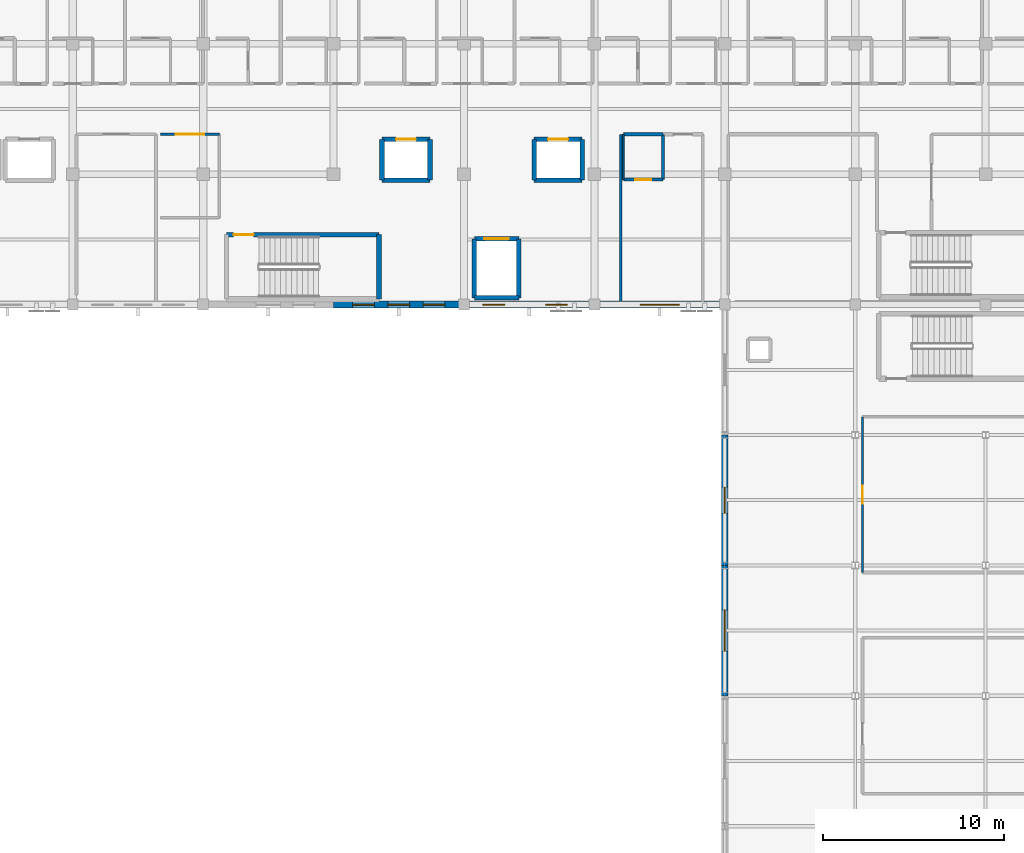
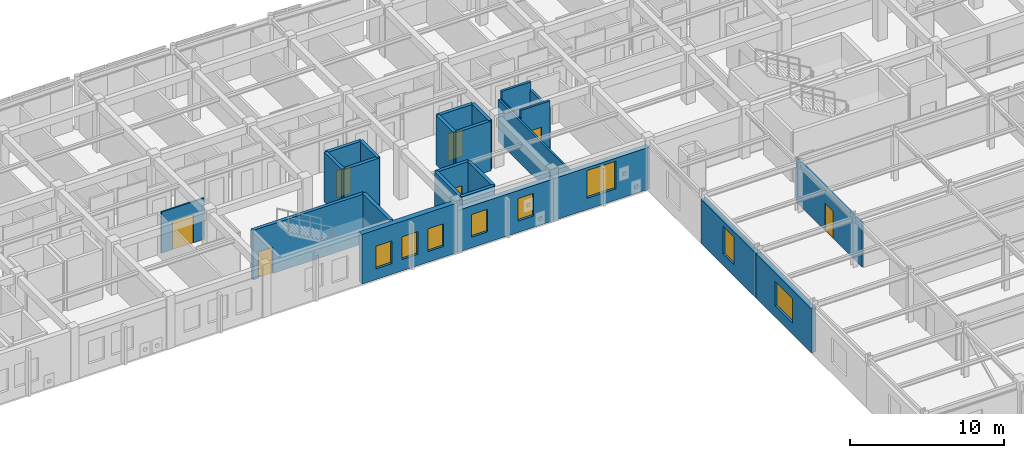
# One storey, part 93 of 113: 26 walls, 8 windows, 7 doors, 15 openings.
"""IFC4 building model written with IfcOpenShell, lengths in metres."""

import ifcopenshell
import ifcopenshell.guid

model = None  # the IFC model being written
_history = None  # IfcOwnerHistory: only IFC2X3 demands one
_inside = {}  # id of a spatial element -> (the spatial element, [elements in it])
_under = {}  # id of a project, library or spatial element -> (it, [spatial elements below it])
_declared = {}  # id of a project -> (the project, [libraries it declares])
_typed = {}  # id of a type object -> (the type object, [elements of that type])
_made_of = {}  # id of a material, layer set ... -> (it, [elements and type objects made of it])


def new_model(schema):
    """Start an empty IFC model of exactly this schema.

    Asked for "IFC4X3", IfcOpenShell would pick the latest addendum, in which some entities
    have other attributes; the version numbers below select the first issue.
    IFC2X3 requires an IfcOwnerHistory on every rooted entity: one is made here for all.
    """
    global model, _history
    if schema == "IFC4X3":
        model = ifcopenshell.file(schema_version=(4, 3, 0, 0))
    else:
        model = ifcopenshell.file(schema=schema)
    _inside.clear()
    _under.clear()
    _declared.clear()
    _typed.clear()
    _made_of.clear()
    _history = None
    if model.schema == "IFC2X3":
        org = make("IfcOrganization", Name="unknown")
        user = make(
            "IfcPersonAndOrganization",
            ThePerson=make("IfcPerson", FamilyName="unknown"),
            TheOrganization=org,
        )
        app = make(
            "IfcApplication",
            ApplicationDeveloper=org,
            Version="unknown",
            ApplicationFullName="unknown",
            ApplicationIdentifier="unknown",
        )
        _history = make(
            "IfcOwnerHistory",
            OwningUser=user,
            OwningApplication=app,
            ChangeAction="ADDED",
            CreationDate=0,
        )
    return model


def make(cls, **values):
    """One entity of the class cls with the attributes given. An attribute that is None is left unset."""
    return model.create_entity(
        cls, **{name: value for name, value in values.items() if value is not None}
    )


def rooted(cls, **values):
    """An entity with a GlobalId (a new one), such as an element, a storey or a relation."""
    return make(cls, GlobalId=ifcopenshell.guid.new(), OwnerHistory=_history, **values)


def si_unit(unit_type, name, prefix=None):
    """IfcSIUnit, for example si_unit("LENGTHUNIT", "METRE", prefix="MILLI")."""
    return make("IfcSIUnit", UnitType=unit_type, Prefix=prefix, Name=name)


def assignment(units):
    """IfcUnitAssignment: the units of a project."""
    return None if units is None else make("IfcUnitAssignment", Units=units)


def point(xyz):
    """IfcCartesianPoint."""
    return None if xyz is None else make("IfcCartesianPoint", Coordinates=xyz)


def direction(xyz):
    """IfcDirection."""
    return None if xyz is None else make("IfcDirection", DirectionRatios=xyz)


def frame(location, z_axis=None, x_axis=None):
    """IfcAxis2Placement3D, a coordinate frame: its origin and axes. An axis left out is left unset."""
    return make(
        "IfcAxis2Placement3D",
        Location=point(location),
        Axis=direction(z_axis),
        RefDirection=direction(x_axis),
    )


def frame_2d(location, x_axis=None):
    """IfcAxis2Placement2D, a coordinate frame in the plane: its origin and x axis."""
    return make(
        "IfcAxis2Placement2D", Location=point(location), RefDirection=direction(x_axis)
    )


def origin():
    """The frame at (0, 0, 0) with its axes left unset."""
    return frame((0.0, 0.0, 0.0))


def place(relative_to, where):
    """IfcLocalPlacement: puts the frame where relative to a parent placement (None: the world)."""
    return make(
        "IfcLocalPlacement", PlacementRelTo=relative_to, RelativePlacement=where
    )


def context(
    kind, dimensions, precision=None, world=None, true_north=None, identifier=None
):
    """IfcGeometricRepresentationContext, for example the 3D "Model" context."""
    return make(
        "IfcGeometricRepresentationContext",
        ContextIdentifier=identifier,
        ContextType=kind,
        CoordinateSpaceDimension=dimensions,
        Precision=precision,
        WorldCoordinateSystem=world,
        TrueNorth=true_north,
    )


def subcontext(parent, identifier, kind, view, scale=None):
    """IfcGeometricRepresentationSubContext, for example "Body" below "Model"."""
    return make(
        "IfcGeometricRepresentationSubContext",
        ContextIdentifier=identifier,
        ContextType=kind,
        ParentContext=parent,
        TargetScale=scale,
        TargetView=view,
    )


def project(units=None, contexts=None):
    """IfcProject with its units and contexts."""
    return rooted(
        "IfcProject",
        Name="project",
        RepresentationContexts=contexts,
        UnitsInContext=assignment(units),
    )


def spatial(cls, under=None, at=None, **own):
    """A site, building, storey or space (cls), placed at a placement, below another one or the project."""
    s = rooted(cls, ObjectPlacement=at, **own)
    if under is not None:
        _under.setdefault(under.id(), (under, []))[1].append(s)
    return s


def profile(cls, at=None, kind="AREA", **sizes):
    """A parametric profile (cls). Its sizes go by their IFC names, for example OverallWidth=200.0."""
    return make(cls, ProfileType=kind, Position=at, **sizes)


def rectangle(**sizes):
    """IfcRectangleProfileDef."""
    return profile("IfcRectangleProfileDef", **sizes)


def extrude(swept, where, along, depth):
    """IfcExtrudedAreaSolid: the profile swept, set in the frame where, extruded along a direction by depth."""
    return make(
        "IfcExtrudedAreaSolid",
        SweptArea=swept,
        Position=where,
        ExtrudedDirection=direction(along),
        Depth=depth,
    )


def shape(context_of_items, identifier, shape_type, items):
    """IfcShapeRepresentation: the items that make up one representation, for example the "Body"."""
    return make(
        "IfcShapeRepresentation",
        ContextOfItems=context_of_items,
        RepresentationIdentifier=identifier,
        RepresentationType=shape_type,
        Items=items,
    )


def material(Name=None, Category=None):
    """IfcMaterial."""
    return make("IfcMaterial", Name=Name, Category=Category)


def layer(
    of_material, thickness, ventilated=None, Name=None, Category=None, Priority=None
):
    """IfcMaterialLayer: one layer of a wall or slab, of a material (None: an air gap)."""
    return make(
        "IfcMaterialLayer",
        Material=of_material,
        LayerThickness=thickness,
        IsVentilated=ventilated,
        Name=Name,
        Category=Category,
        Priority=Priority,
    )


def layer_set(layers, Name=None):
    """IfcMaterialLayerSet."""
    return make("IfcMaterialLayerSet", MaterialLayers=layers, LayerSetName=Name)


def made_of(thing, what):
    """Note that an element or type object is made of a material, layer set ...; save() writes the relation."""
    if what is not None:
        _made_of.setdefault(what.id(), (what, []))[1].append(thing)
    return thing


def type_object(cls, material=None, **own):
    """A type object (cls), such as IfcWallType, which elements share."""
    return made_of(rooted(cls, **own), material)


def element(
    cls,
    number,
    at=None,
    inside=None,
    cuts=None,
    type_object=None,
    material=None,
    context=None,
    identifier="Body",
    shape_type=None,
    held_by="IfcProductDefinitionShape",
    body=None,
    shapes=None,
    **own,
):
    """One element of the class cls, such as IfcWall. Its Tag is "e" and its number.

    at: its placement. inside: the storey or other place that contains it. cuts: it is an
    opening in that element (IfcRelVoidsElement). A single representation is given by context,
    identifier, shape_type and body (its items); several are given by shapes. held_by: the class
    of the entity that holds the representations. save() writes the other relations.
    """
    e = rooted(cls, Tag="e%d" % number, ObjectPlacement=at, **own)
    if body is not None:
        shapes = [shape(context, identifier, shape_type, body)]
    if shapes is not None:
        e.Representation = make(held_by, Representations=shapes)
    if inside is not None:
        _inside.setdefault(inside.id(), (inside, []))[1].append(e)
    if cuts is not None:
        rooted(
            "IfcRelVoidsElement", RelatingBuildingElement=cuts, RelatedOpeningElement=e
        )
    if type_object is not None:
        _typed.setdefault(type_object.id(), (type_object, []))[1].append(e)
    return made_of(e, material)


def fill(opening, filler):
    """IfcRelFillsElement: the door or window that sits in an opening."""
    return rooted(
        "IfcRelFillsElement",
        RelatingOpeningElement=opening,
        RelatedBuildingElement=filler,
    )


def aggregate(whole, parts):
    """IfcRelAggregates: a whole, such as a stair, and the parts it consists of."""
    return rooted("IfcRelAggregates", RelatingObject=whole, RelatedObjects=parts)


def save(model, path):
    """Write the relations noted so far, then the file.

    IfcRelAggregates (storeys below a building ...), IfcRelContainedInSpatialStructure (elements
    in a storey), IfcRelDefinesByType, IfcRelAssociatesMaterial and IfcRelDeclares: one each for
    every whole, place, type object, material and project.
    """
    for whole, parts in _under.values():
        aggregate(whole, parts)
    for where, things in _inside.values():
        rooted(
            "IfcRelContainedInSpatialStructure",
            RelatedElements=things,
            RelatingStructure=where,
        )
    for kind, things in _typed.values():
        rooted("IfcRelDefinesByType", RelatedObjects=things, RelatingType=kind)
    for what, things in _made_of.values():
        rooted("IfcRelAssociatesMaterial", RelatedObjects=things, RelatingMaterial=what)
    for by, libraries in _declared.values():
        rooted("IfcRelDeclares", RelatingContext=by, RelatedDefinitions=libraries)
    model.write(path)


model = new_model("IFC4")

# Units and contexts
model_context = context("Model", 3, precision=1e-05, world=origin(), true_north=direction((0.0, 1.0)))
body_context = subcontext(model_context, "Body", "Model", "MODEL_VIEW")
ifc_project = project(units=[si_unit("LENGTHUNIT", "METRE"), si_unit("AREAUNIT", "SQUARE_METRE"), si_unit("VOLUMEUNIT", "CUBIC_METRE"), si_unit("PLANEANGLEUNIT", "RADIAN"), si_unit("MASSUNIT", "GRAM", prefix="KILO")], contexts=[model_context])

# Site, building, storey
site_placement = place(None, origin())
site = spatial("IfcSite", under=ifc_project, at=site_placement, CompositionType="ELEMENT")
building_placement = place(site_placement, origin())
building = spatial("IfcBuilding", under=site, at=building_placement, Name="Carrowvane Square Congress Hotel", CompositionType="ELEMENT")
storey_placement = place(building_placement, frame((0.0, 0.0, 15.0)))
storey = spatial("IfcBuildingStorey", under=building, at=storey_placement, Name="L03", CompositionType="ELEMENT", Elevation=15.0)

# Wall, opening, window
ifc_material_1 = material(Name="Glazed terracotta rainscreen", Category="masonry")
ifc_layer_1 = layer(ifc_material_1, 0.360107421875)
ifc_layer_set_1 = layer_set([ifc_layer_1], Name="Glazed terracotta rainscreen")
wall_type_1 = type_object("IfcWallType", Name="WL-EXT-TC360", PredefinedType="STANDARD", material=ifc_layer_set_1)
wall_1_placement = place(storey_placement, frame((126.800048828125, 70.199951171875, 0.0), z_axis=(0.0, 0.0, 1.0), x_axis=(0.0, 1.0, 0.0)))
wall_1 = element("IfcWall", 1, at=wall_1_placement, inside=storey, type_object=wall_type_1, Name="L03 exterior facade wall 388", PredefinedType="STANDARD", context=body_context, shape_type="SweptSolid", body=[
    extrude(rectangle(XDim=7.199951171875, YDim=0.360107421875, at=frame_2d((3.60009765625, 0.0))), origin(), (0.0, 0.0, 1.0), 3.515625),
])
opening_1_placement = place(wall_1_placement, frame((2.449951171875, 0.0, 0.89990234375)))
opening_1 = element("IfcOpeningElement", 2, at=opening_1_placement, cuts=wall_1, Name="Opening W-32", PredefinedType="OPENING", context=body_context, shape_type="SweptSolid", body=[
    extrude(rectangle(XDim=2.300048828125, YDim=1.949951171875, at=frame_2d((1.14990234375, 0.97509765625))), frame((0.0, 0.18994140625, 0.0), z_axis=(0.0, -1.0, 0.0), x_axis=(1.0, 0.0, 0.0)), (0.0, 0.0, 1.0), 0.380126953125),
])
ifc_material_2 = material(Name="Double-glazed low-E glass", Category="glass")
window_type_1 = type_object("IfcWindowType", Name="WIN-32", PartitioningType="SINGLE_PANEL", PredefinedType="WINDOW", material=ifc_material_2)
window_1_placement = place(opening_1_placement, origin())
window_1 = element("IfcWindow", 3, at=window_1_placement, inside=storey, type_object=window_type_1, Name="L03 facade window 209", OverallHeight=1.949951171875, OverallWidth=2.300048828125, PartitioningType="SINGLE_PANEL", PredefinedType="WINDOW", context=body_context, shape_type="SweptSolid", body=[
    extrude(rectangle(XDim=2.300048828125, YDim=1.949951171875, at=frame_2d((1.14990234375, 0.97509765625))), frame((0.0, 0.030029296875, 0.0), z_axis=(0.0, -1.0, 0.0), x_axis=(1.0, 0.0, 0.0)), (0.0, 0.0, 1.0), 0.06005859375),
])
fill(opening_1, window_1)

wall_2_placement = place(storey_placement, frame((126.800048828125, 77.39990234375, 0.0), z_axis=(0.0, 0.0, 1.0), x_axis=(0.0, 1.0, 0.0)))
wall_2 = element("IfcWall", 4, at=wall_2_placement, inside=storey, type_object=wall_type_1, Name="L03 exterior facade wall 389", PredefinedType="STANDARD", context=body_context, shape_type="SweptSolid", body=[
    extrude(rectangle(XDim=7.2001953125, YDim=0.360107421875, at=frame_2d((3.60009765625, 0.0))), origin(), (0.0, 0.0, 1.0), 3.515625),
])
opening_2_placement = place(wall_2_placement, frame((2.875, 0.0, 0.89990234375)))
opening_2 = element("IfcOpeningElement", 5, at=opening_2_placement, cuts=wall_2, Name="Opening W-33", PredefinedType="OPENING", context=body_context, shape_type="SweptSolid", body=[
    extrude(rectangle(XDim=1.449951171875, YDim=2.199951171875, at=frame_2d((0.72509765625, 1.10009765625))), frame((0.0, 0.18994140625, 0.0), z_axis=(0.0, -1.0, 0.0), x_axis=(1.0, 0.0, 0.0)), (0.0, 0.0, 1.0), 0.380126953125),
])
ifc_material_3 = material(Name="Double-glazed low-E glass", Category="glass")
window_type_2 = type_object("IfcWindowType", Name="WIN-33", PartitioningType="SINGLE_PANEL", PredefinedType="WINDOW", material=ifc_material_3)
window_2_placement = place(opening_2_placement, origin())
window_2 = element("IfcWindow", 6, at=window_2_placement, inside=storey, type_object=window_type_2, Name="L03 facade window 210", OverallHeight=2.199951171875, OverallWidth=1.449951171875, PartitioningType="SINGLE_PANEL", PredefinedType="WINDOW", context=body_context, shape_type="SweptSolid", body=[
    extrude(rectangle(XDim=1.449951171875, YDim=2.199951171875, at=frame_2d((0.72509765625, 1.10009765625))), frame((0.0, 0.030029296875, 0.0), z_axis=(0.0, -1.0, 0.0), x_axis=(1.0, 0.0, 0.0)), (0.0, 0.0, 1.0), 0.06005859375),
])
fill(opening_2, window_2)

ifc_material_4 = material(Name="Glazed terracotta rainscreen", Category="masonry")
ifc_layer_2 = layer(ifc_material_4, 0.39990234375)
ifc_layer_set_2 = layer_set([ifc_layer_2], Name="Glazed terracotta rainscreen")
wall_type_2 = type_object("IfcWallType", Name="WL-EXT-TC400", PredefinedType="STANDARD", material=ifc_layer_set_2)
wall_3_placement = place(storey_placement, frame((126.800048828125, 91.800048828125, 0.0), z_axis=(0.0, 0.0, 1.0), x_axis=(-1.0, 0.0, 0.0)))
wall_3 = element("IfcWall", 7, at=wall_3_placement, inside=storey, type_object=wall_type_2, Name="L03 exterior facade wall 391", PredefinedType="STANDARD", context=body_context, shape_type="SweptSolid", body=[
    extrude(rectangle(XDim=7.199951171875, YDim=0.39990234375, at=frame_2d((3.60009765625, 0.0))), origin(), (0.0, 0.0, 1.0), 3.324951171875),
])
opening_3_placement = place(wall_3_placement, frame((2.52490234375, 0.0, 0.89990234375)))
opening_3 = element("IfcOpeningElement", 8, at=opening_3_placement, cuts=wall_3, Name="Opening W-35", PredefinedType="OPENING", context=body_context, shape_type="SweptSolid", body=[
    extrude(rectangle(XDim=2.14990234375, YDim=2.199951171875, at=frame_2d((1.074951171875, 1.10009765625))), frame((0.0, 0.2099609375, 0.0), z_axis=(0.0, -1.0, 0.0), x_axis=(1.0, 0.0, 0.0)), (0.0, 0.0, 1.0), 0.419921875),
])
ifc_material_5 = material(Name="Double-glazed low-E glass", Category="glass")
window_type_3 = type_object("IfcWindowType", Name="WIN-35", PartitioningType="SINGLE_PANEL", PredefinedType="WINDOW", material=ifc_material_5)
window_3_placement = place(opening_3_placement, origin())
window_3 = element("IfcWindow", 9, at=window_3_placement, inside=storey, type_object=window_type_3, Name="L03 facade window 212", OverallHeight=2.199951171875, OverallWidth=2.14990234375, PartitioningType="SINGLE_PANEL", PredefinedType="WINDOW", context=body_context, shape_type="SweptSolid", body=[
    extrude(rectangle(XDim=2.14990234375, YDim=2.199951171875, at=frame_2d((1.074951171875, 1.10009765625))), frame((0.0, 0.030029296875, 0.0), z_axis=(0.0, -1.0, 0.0), x_axis=(1.0, 0.0, 0.0)), (0.0, 0.0, 1.0), 0.06005859375),
])
fill(opening_3, window_3)

# Wall, openings, windows
wall_4_placement = place(storey_placement, frame((119.60009765625, 91.800048828125, 0.0), z_axis=(0.0, 0.0, 1.0), x_axis=(-1.0, 0.0, 0.0)))
wall_4 = element("IfcWall", 10, at=wall_4_placement, inside=storey, type_object=wall_type_2, Name="L03 exterior facade wall 392", PredefinedType="STANDARD", context=body_context, shape_type="SweptSolid", body=[
    extrude(rectangle(XDim=7.2001953125, YDim=0.39990234375, at=frame_2d((3.60009765625, 0.0))), origin(), (0.0, 0.0, 1.0), 3.324951171875),
])
opening_4_placement = place(wall_4_placement, frame((1.487548828125, 0.0, 0.89990234375)))
opening_4 = element("IfcOpeningElement", 11, at=opening_4_placement, cuts=wall_4, Name="Opening W-01", PredefinedType="OPENING", context=body_context, shape_type="SweptSolid", body=[
    extrude(rectangle(XDim=1.199951171875, YDim=1.800048828125, at=frame_2d((0.60009765625, 0.89990234375))), frame((0.0, 0.2099609375, 0.0), z_axis=(0.0, -1.0, 0.0), x_axis=(1.0, 0.0, 0.0)), (0.0, 0.0, 1.0), 0.419921875),
])
opening_5_placement = place(wall_4_placement, frame((4.949951171875, 0.0, 0.85009765625)))
opening_5 = element("IfcOpeningElement", 12, at=opening_5_placement, cuts=wall_4, Name="Opening W-01", PredefinedType="OPENING", context=body_context, shape_type="SweptSolid", body=[
    extrude(rectangle(XDim=1.199951171875, YDim=1.800048828125, at=frame_2d((0.60009765625, 0.89990234375))), frame((0.0, 0.2099609375, 0.0), z_axis=(0.0, -1.0, 0.0), x_axis=(1.0, 0.0, 0.0)), (0.0, 0.0, 1.0), 0.419921875),
])
ifc_material_6 = material(Name="Double-glazed low-E glass", Category="glass")
window_type_4 = type_object("IfcWindowType", Name="WIN-01", PartitioningType="SINGLE_PANEL", PredefinedType="WINDOW", material=ifc_material_6)
window_4_placement = place(opening_4_placement, origin())
window_4 = element("IfcWindow", 13, at=window_4_placement, inside=storey, type_object=window_type_4, Name="L03 facade window 214", OverallHeight=1.800048828125, OverallWidth=1.199951171875, PartitioningType="SINGLE_PANEL", PredefinedType="WINDOW", context=body_context, shape_type="SweptSolid", body=[
    extrude(rectangle(XDim=1.199951171875, YDim=1.800048828125, at=frame_2d((0.60009765625, 0.89990234375))), frame((0.0, 0.030029296875, 0.0), z_axis=(0.0, -1.0, 0.0), x_axis=(1.0, 0.0, 0.0)), (0.0, 0.0, 1.0), 0.06005859375),
])
fill(opening_4, window_4)
window_5_placement = place(opening_5_placement, origin())
window_5 = element("IfcWindow", 14, at=window_5_placement, inside=storey, type_object=window_type_4, Name="L03 guest bedroom window 215", OverallHeight=1.800048828125, OverallWidth=1.199951171875, PartitioningType="SINGLE_PANEL", PredefinedType="WINDOW", context=body_context, shape_type="SweptSolid", body=[
    extrude(rectangle(XDim=1.199951171875, YDim=1.800048828125, at=frame_2d((0.60009765625, 0.89990234375))), frame((0.0, 0.030029296875, 0.0), z_axis=(0.0, -1.0, 0.0), x_axis=(1.0, 0.0, 0.0)), (0.0, 0.0, 1.0), 0.06005859375),
])
fill(opening_5, window_5)

wall_5_placement = place(storey_placement, frame((112.39990234375, 91.800048828125, 0.0), z_axis=(0.0, 0.0, 1.0), x_axis=(-1.0, 0.0, 0.0)))
wall_5 = element("IfcWall", 15, at=wall_5_placement, inside=storey, type_object=wall_type_2, Name="L03 exterior facade wall 393", PredefinedType="STANDARD", context=body_context, shape_type="SweptSolid", body=[
    extrude(rectangle(XDim=7.199951171875, YDim=0.39990234375, at=frame_2d((3.60009765625, 0.0))), origin(), (0.0, 0.0, 1.0), 3.93994140625),
])
opening_6_placement = place(wall_5_placement, frame((3.0, 0.0, 0.89990234375)))
opening_6 = element("IfcOpeningElement", 16, at=opening_6_placement, cuts=wall_5, Name="Opening W-01", PredefinedType="OPENING", context=body_context, shape_type="SweptSolid", body=[
    extrude(rectangle(XDim=1.199951171875, YDim=1.800048828125, at=frame_2d((0.60009765625, 0.89990234375))), frame((0.0, 0.2099609375, 0.0), z_axis=(0.0, -1.0, 0.0), x_axis=(1.0, 0.0, 0.0)), (0.0, 0.0, 1.0), 0.419921875),
])
opening_7_placement = place(wall_5_placement, frame((1.050048828125, 0.0, 0.85009765625)))
opening_7 = element("IfcOpeningElement", 17, at=opening_7_placement, cuts=wall_5, Name="Opening W-01", PredefinedType="OPENING", context=body_context, shape_type="SweptSolid", body=[
    extrude(rectangle(XDim=1.199951171875, YDim=1.800048828125, at=frame_2d((0.60009765625, 0.89990234375))), frame((0.0, 0.2099609375, 0.0), z_axis=(0.0, -1.0, 0.0), x_axis=(1.0, 0.0, 0.0)), (0.0, 0.0, 1.0), 0.419921875),
])
opening_8_placement = place(wall_5_placement, frame((4.949951171875, 0.0, 0.85009765625)))
opening_8 = element("IfcOpeningElement", 18, at=opening_8_placement, cuts=wall_5, Name="Opening W-01", PredefinedType="OPENING", context=body_context, shape_type="SweptSolid", body=[
    extrude(rectangle(XDim=1.199951171875, YDim=1.800048828125, at=frame_2d((0.60009765625, 0.89990234375))), frame((0.0, 0.2099609375, 0.0), z_axis=(0.0, -1.0, 0.0), x_axis=(1.0, 0.0, 0.0)), (0.0, 0.0, 1.0), 0.419921875),
])
window_6_placement = place(opening_6_placement, origin())
window_6 = element("IfcWindow", 19, at=window_6_placement, inside=storey, type_object=window_type_4, Name="L03 facade window 216", OverallHeight=1.800048828125, OverallWidth=1.199951171875, PartitioningType="SINGLE_PANEL", PredefinedType="WINDOW", context=body_context, shape_type="SweptSolid", body=[
    extrude(rectangle(XDim=1.199951171875, YDim=1.800048828125, at=frame_2d((0.60009765625, 0.89990234375))), frame((0.0, 0.030029296875, 0.0), z_axis=(0.0, -1.0, 0.0), x_axis=(1.0, 0.0, 0.0)), (0.0, 0.0, 1.0), 0.06005859375),
])
fill(opening_6, window_6)
window_7_placement = place(opening_7_placement, origin())
window_7 = element("IfcWindow", 20, at=window_7_placement, inside=storey, type_object=window_type_4, Name="L03 guest bedroom window 217", OverallHeight=1.800048828125, OverallWidth=1.199951171875, PartitioningType="SINGLE_PANEL", PredefinedType="WINDOW", context=body_context, shape_type="SweptSolid", body=[
    extrude(rectangle(XDim=1.199951171875, YDim=1.800048828125, at=frame_2d((0.60009765625, 0.89990234375))), frame((0.0, 0.030029296875, 0.0), z_axis=(0.0, -1.0, 0.0), x_axis=(1.0, 0.0, 0.0)), (0.0, 0.0, 1.0), 0.06005859375),
])
fill(opening_7, window_7)
window_8_placement = place(opening_8_placement, origin())
window_8 = element("IfcWindow", 21, at=window_8_placement, inside=storey, type_object=window_type_4, Name="L03 guest bedroom window 218", OverallHeight=1.800048828125, OverallWidth=1.199951171875, PartitioningType="SINGLE_PANEL", PredefinedType="WINDOW", context=body_context, shape_type="SweptSolid", body=[
    extrude(rectangle(XDim=1.199951171875, YDim=1.800048828125, at=frame_2d((0.60009765625, 0.89990234375))), frame((0.0, 0.030029296875, 0.0), z_axis=(0.0, -1.0, 0.0), x_axis=(1.0, 0.0, 0.0)), (0.0, 0.0, 1.0), 0.06005859375),
])
fill(opening_8, window_8)

# Wall, opening, door
ifc_material_7 = material(Name="Acoustic gypsum board", Category="gypsum")
ifc_layer_3 = layer(ifc_material_7, 0.155029296875)
ifc_layer_set_3 = layer_set([ifc_layer_3], Name="Acoustic gypsum board")
wall_type_3 = type_object("IfcWallType", Name="WL-FIR-155", PredefinedType="PARTITIONING", material=ifc_layer_set_3)
wall_6_placement = place(storey_placement, frame((123.39990234375, 98.699951171875, 0.0), z_axis=(0.0, 0.0, 1.0), x_axis=(-1.0, 0.0, 0.0)))
wall_6 = element("IfcWall", 22, at=wall_6_placement, inside=storey, type_object=wall_type_3, Name="L03 En-suite Bathroom 0301 partition", PredefinedType="PARTITIONING", context=body_context, shape_type="SweptSolid", body=[
    extrude(rectangle(XDim=2.199951171875, YDim=0.155029296875, at=frame_2d((1.10009765625, 0.0))), origin(), (0.0, 0.0, 1.0), 3.93994140625),
])
opening_9_placement = place(wall_6_placement, frame((0.659912109375, 0.0, 0.0)))
opening_9 = element("IfcOpeningElement", 23, at=opening_9_placement, cuts=wall_6, Name="Opening ID-01", PredefinedType="OPENING", context=body_context, shape_type="SweptSolid", body=[
    extrude(rectangle(XDim=0.8798828125, YDim=2.06005859375, at=frame_2d((0.43994140625, 1.030029296875))), frame((0.0, 0.08740234375, 0.0), z_axis=(0.0, -1.0, 0.0), x_axis=(1.0, 0.0, 0.0)), (0.0, 0.0, 1.0), 0.175048828125),
])
ifc_material_8 = material(Name="European oak timber", Category="wood")
door_type_1 = type_object("IfcDoorType", Name="DR-INT-0880x2060", OperationType="NOTDEFINED", PredefinedType="DOOR", material=ifc_material_8)
door_1_placement = place(opening_9_placement, origin())
door_1 = element("IfcDoor", 24, at=door_1_placement, inside=storey, type_object=door_type_1, Name="L03 En-suite Bathroom 0301 door", OperationType="SINGLE_SWING_LEFT", OverallHeight=2.06005859375, OverallWidth=0.8798828125, PredefinedType="DOOR", context=body_context, shape_type="SweptSolid", body=[
    extrude(rectangle(XDim=0.8798828125, YDim=2.06005859375, at=frame_2d((0.43994140625, 1.030029296875))), frame((0.0, 0.02490234375, 0.0), z_axis=(0.0, -1.0, 0.0), x_axis=(1.0, 0.0, 0.0)), (0.0, 0.0, 1.0), 0.050048828125),
])
fill(opening_9, door_1)

# Walls
ifc_material_9 = material(Name="Acoustic gypsum board", Category="gypsum")
ifc_layer_4 = layer(ifc_material_9, 0.169921875)
ifc_layer_set_4 = layer_set([ifc_layer_4], Name="Acoustic gypsum board")
wall_type_4 = type_object("IfcWallType", Name="WL-FIR-170", PredefinedType="PARTITIONING", material=ifc_layer_set_4)
wall_7_placement = place(storey_placement, frame((123.39990234375, 101.199951171875, 0.0), z_axis=(0.0, 0.0, 1.0), x_axis=(0.0, -1.0, 0.0)))
element("IfcWall", 25, at=wall_7_placement, inside=storey, type_object=wall_type_4, Name="L03 En-suite Bathroom 0301 partition", PredefinedType="PARTITIONING", context=body_context, shape_type="SweptSolid", body=[
    extrude(rectangle(XDim=2.5, YDim=0.169921875, at=frame_2d((1.25, 0.0))), origin(), (0.0, 0.0, 1.0), 3.324951171875),
])
ifc_material_10 = material(Name="Acoustic gypsum board", Category="gypsum")
ifc_layer_5 = layer(ifc_material_10, 0.18505859375)
ifc_layer_set_5 = layer_set([ifc_layer_5], Name="Acoustic gypsum board")
wall_type_5 = type_object("IfcWallType", Name="WL-FIR-185", PredefinedType="PARTITIONING", material=ifc_layer_set_5)
wall_8_placement = place(storey_placement, frame((121.199951171875, 101.199951171875, 0.0), z_axis=(0.0, 0.0, 1.0), x_axis=(1.0, 0.0, 0.0)))
element("IfcWall", 26, at=wall_8_placement, inside=storey, type_object=wall_type_5, Name="L03 En-suite Bathroom 0301 partition", PredefinedType="PARTITIONING", context=body_context, shape_type="SweptSolid", body=[
    extrude(rectangle(XDim=2.199951171875, YDim=0.18505859375, at=frame_2d((1.10009765625, 0.0))), origin(), (0.0, 0.0, 1.0), 3.93994140625),
])
ifc_material_11 = material(Name="Acoustic gypsum board", Category="gypsum")
ifc_layer_6 = layer(ifc_material_11, 0.097900390625)
ifc_layer_set_6 = layer_set([ifc_layer_6], Name="Acoustic gypsum board")
wall_type_6 = type_object("IfcWallType", Name="WL-PRT-098", PredefinedType="PARTITIONING", material=ifc_layer_set_6)
wall_9_placement = place(storey_placement, frame((121.199951171875, 98.699951171875, 0.0), z_axis=(0.0, 0.0, 1.0), x_axis=(0.0, 1.0, 0.0)))
element("IfcWall", 27, at=wall_9_placement, inside=storey, type_object=wall_type_6, Name="L03 En-suite Bathroom 0301 partition", PredefinedType="PARTITIONING", context=body_context, shape_type="SweptSolid", body=[
    extrude(rectangle(XDim=2.5, YDim=0.097900390625, at=frame_2d((1.25, 0.0))), origin(), (0.0, 0.0, 1.0), 3.324951171875),
])

# Wall, opening, door
ifc_material_12 = material(Name="Acoustic gypsum board", Category="gypsum")
ifc_layer_7 = layer(ifc_material_12, 0.10791015625)
ifc_layer_set_7 = layer_set([ifc_layer_7], Name="Acoustic gypsum board")
wall_type_7 = type_object("IfcWallType", Name="WL-PRT-108", PredefinedType="PARTITIONING", material=ifc_layer_set_7)
wall_10_placement = place(storey_placement, frame((134.39990234375, 77.0, 0.0), z_axis=(0.0, 0.0, 1.0), x_axis=(0.0, 1.0, 0.0)))
wall_10 = element("IfcWall", 28, at=wall_10_placement, inside=storey, type_object=wall_type_7, Name="L03 Executive Conference Suite 304 partition", PredefinedType="PARTITIONING", context=body_context, shape_type="SweptSolid", body=[
    extrude(rectangle(XDim=8.60009765625, YDim=0.10791015625, at=frame_2d((4.300048828125, 0.0))), origin(), (0.0, 0.0, 1.0), 3.515625),
])
opening_10_placement = place(wall_10_placement, frame((3.794921875, 0.0, 0.0)))
opening_10 = element("IfcOpeningElement", 29, at=opening_10_placement, cuts=wall_10, Name="Opening ID-20", PredefinedType="OPENING", context=body_context, shape_type="SweptSolid", body=[
    extrude(rectangle(XDim=1.010009765625, YDim=2.159912109375, at=frame_2d((0.5048828125, 1.080078125))), frame((0.0, 0.06396484375, 0.0), z_axis=(0.0, -1.0, 0.0), x_axis=(1.0, 0.0, 0.0)), (0.0, 0.0, 1.0), 0.1279296875),
])
ifc_material_13 = material(Name="European oak timber", Category="wood")
door_type_2 = type_object("IfcDoorType", Name="DR-INT-1010x2160", OperationType="NOTDEFINED", PredefinedType="DOOR", material=ifc_material_13)
door_2_placement = place(opening_10_placement, origin())
door_2 = element("IfcDoor", 30, at=door_2_placement, inside=storey, type_object=door_type_2, Name="L03 Executive Conference Suite 304 entrance door", OperationType="SINGLE_SWING_RIGHT", OverallHeight=2.159912109375, OverallWidth=1.010009765625, PredefinedType="DOOR", context=body_context, shape_type="SweptSolid", body=[
    extrude(rectangle(XDim=1.010009765625, YDim=2.159912109375, at=frame_2d((0.5048828125, 1.080078125))), frame((0.0, 0.02490234375, 0.0), z_axis=(0.0, -1.0, 0.0), x_axis=(1.0, 0.0, 0.0)), (0.0, 0.0, 1.0), 0.050048828125),
])
fill(opening_10, door_2)

ifc_material_14 = material(Name="Acoustic gypsum board", Category="gypsum")
ifc_layer_8 = layer(ifc_material_14, 0.117919921875)
ifc_layer_set_8 = layer_set([ifc_layer_8], Name="Acoustic gypsum board")
wall_type_8 = type_object("IfcWallType", Name="WL-PRT-118", PredefinedType="PARTITIONING", material=ifc_layer_set_8)
wall_11_placement = place(storey_placement, frame((95.64990234375, 101.199951171875, 0.0), z_axis=(0.0, 0.0, 1.0), x_axis=(1.0, 0.0, 0.0)))
wall_11 = element("IfcWall", 31, at=wall_11_placement, inside=storey, type_object=wall_type_8, Name="L03 L03 Accessible Guest WC partition", PredefinedType="PARTITIONING", context=body_context, shape_type="SweptSolid", body=[
    extrude(rectangle(XDim=3.25, YDim=0.117919921875, at=frame_2d((1.625, 0.0))), origin(), (0.0, 0.0, 1.0), 3.27490234375),
])
opening_11_placement = place(wall_11_placement, frame((0.844970703125, 0.0, 0.0)))
opening_11 = element("IfcOpeningElement", 32, at=opening_11_placement, cuts=wall_11, Name="Opening ID-26", PredefinedType="OPENING", context=body_context, shape_type="SweptSolid", body=[
    extrude(rectangle(XDim=1.56005859375, YDim=2.260009765625, at=frame_2d((0.780029296875, 1.1298828125))), frame((0.0, 0.06884765625, 0.0), z_axis=(0.0, -1.0, 0.0), x_axis=(1.0, 0.0, 0.0)), (0.0, 0.0, 1.0), 0.137939453125),
])
ifc_material_15 = material(Name="European oak timber", Category="wood")
door_type_3 = type_object("IfcDoorType", Name="DR-INT-1560x2260", OperationType="DOUBLE_DOOR_SINGLE_SWING", PredefinedType="DOOR", material=ifc_material_15)
door_3_placement = place(opening_11_placement, origin())
door_3 = element("IfcDoor", 33, at=door_3_placement, inside=storey, type_object=door_type_3, Name="L03 L03 Accessible Guest WC entrance door", OperationType="DOUBLE_DOOR_SINGLE_SWING", OverallHeight=2.260009765625, OverallWidth=1.56005859375, PredefinedType="DOOR", context=body_context, shape_type="SweptSolid", body=[
    extrude(rectangle(XDim=1.56005859375, YDim=2.260009765625, at=frame_2d((0.780029296875, 1.1298828125))), frame((0.0, 0.02490234375, 0.0), z_axis=(0.0, -1.0, 0.0), x_axis=(1.0, 0.0, 0.0)), (0.0, 0.0, 1.0), 0.050048828125),
])
fill(opening_11, door_3)

# Wall
ifc_material_16 = material(Name="Acoustic gypsum board", Category="gypsum")
ifc_layer_9 = layer(ifc_material_16, 0.137939453125)
ifc_layer_set_9 = layer_set([ifc_layer_9], Name="Acoustic gypsum board")
wall_type_9 = type_object("IfcWallType", Name="WL-PRT-138", PredefinedType="PARTITIONING", material=ifc_layer_set_9)
wall_12_placement = place(storey_placement, frame((121.050048828125, 91.9599609375, 0.0), z_axis=(0.0, 0.0, 1.0), x_axis=(0.0, 1.0, 0.0)))
element("IfcWall", 34, at=wall_12_placement, inside=storey, type_object=wall_type_9, Name="L03 Hotel Guest Bedroom 0301 partition", PredefinedType="PARTITIONING", context=body_context, shape_type="SweptSolid", body=[
    extrude(rectangle(XDim=9.239990234375, YDim=0.137939453125, at=frame_2d((4.6201171875, 0.0))), origin(), (0.0, 0.0, 1.0), 3.324951171875),
])

# Wall, opening, door
ifc_material_17 = material(Name="Concrete C40/50", Category="concrete")
ifc_layer_10 = layer(ifc_material_17, 0.25)
ifc_layer_set_10 = layer_set([ifc_layer_10], Name="Concrete C40/50")
wall_type_10 = type_object("IfcWallType", Name="WL-SHR-250", PredefinedType="SHEAR", material=ifc_layer_set_10)
wall_13_placement = place(storey_placement, frame((107.699951171875, 95.659912109375, 0.0), z_axis=(0.0, 0.0, 1.0), x_axis=(-1.0, 0.0, 0.0)))
wall_13 = element("IfcWall", 35, at=wall_13_placement, inside=storey, type_object=wall_type_10, Name="L03 ST3 core wall north", PredefinedType="SHEAR", context=body_context, shape_type="SweptSolid", body=[
    extrude(rectangle(XDim=8.39990234375, YDim=0.25, at=frame_2d((4.199951171875, 0.0))), origin(), (0.0, 0.0, 1.0), 3.93994140625),
])
opening_12_placement = place(wall_13_placement, frame((6.909912109375, 0.0, 0.0)))
opening_12 = element("IfcOpeningElement", 36, at=opening_12_placement, cuts=wall_13, Name="Opening FD-01", PredefinedType="OPENING", context=body_context, shape_type="SweptSolid", body=[
    extrude(rectangle(XDim=1.10009765625, YDim=2.10009765625, at=frame_2d((0.550048828125, 1.050048828125))), frame((0.0, 0.135009765625, 0.0), z_axis=(0.0, -1.0, 0.0), x_axis=(1.0, 0.0, 0.0)), (0.0, 0.0, 1.0), 0.27001953125),
])
ifc_material_18 = material(Name="European oak timber", Category="wood")
door_type_4 = type_object("IfcDoorType", Name="DR-FD60-1100x2100", OperationType="NOTDEFINED", PredefinedType="DOOR", material=ifc_material_18)
door_4_placement = place(opening_12_placement, origin())
door_4 = element("IfcDoor", 37, at=door_4_placement, inside=storey, type_object=door_type_4, Name="L03 ST3 fire door", OperationType="SINGLE_SWING_LEFT", OverallHeight=2.10009765625, OverallWidth=1.10009765625, PredefinedType="DOOR", context=body_context, shape_type="SweptSolid", body=[
    extrude(rectangle(XDim=1.10009765625, YDim=2.10009765625, at=frame_2d((0.550048828125, 1.050048828125))), frame((0.0, 0.02490234375, 0.0), z_axis=(0.0, -1.0, 0.0), x_axis=(1.0, 0.0, 0.0)), (0.0, 0.0, 1.0), 0.050048828125),
])
fill(opening_12, door_4)

# Walls
wall_14_placement = place(storey_placement, frame((107.875, 98.675048828125, 0.0), z_axis=(0.0, 0.0, 1.0), x_axis=(1.0, 0.0, 0.0)))
element("IfcWall", 38, at=wall_14_placement, inside=storey, type_object=wall_type_10, Name="L03 HL-3 shaft wall south", PredefinedType="SHEAR", context=body_context, shape_type="SweptSolid", body=[
    extrude(rectangle(XDim=2.64990234375, YDim=0.25, at=frame_2d((1.324951171875, 0.0))), origin(), (0.0, 0.0, 1.0), 3.93994140625),
])
wall_15_placement = place(storey_placement, frame((110.52490234375, 98.675048828125, 0.0), z_axis=(0.0, 0.0, 1.0), x_axis=(0.0, 1.0, 0.0)))
element("IfcWall", 39, at=wall_15_placement, inside=storey, type_object=wall_type_10, Name="L03 HL-3 shaft wall east", PredefinedType="SHEAR", context=body_context, shape_type="SweptSolid", body=[
    extrude(rectangle(XDim=2.25, YDim=0.25, at=frame_2d((1.125, 0.0))), origin(), (0.0, 0.0, 1.0), 3.93994140625),
])

# Wall, opening, door
wall_16_placement = place(storey_placement, frame((110.52490234375, 100.925048828125, 0.0), z_axis=(0.0, 0.0, 1.0), x_axis=(-1.0, 0.0, 0.0)))
wall_16 = element("IfcWall", 40, at=wall_16_placement, inside=storey, type_object=wall_type_10, Name="L03 HL-3 shaft wall north", PredefinedType="SHEAR", context=body_context, shape_type="SweptSolid", body=[
    extrude(rectangle(XDim=2.64990234375, YDim=0.25, at=frame_2d((1.324951171875, 0.0))), origin(), (0.0, 0.0, 1.0), 3.93994140625),
])
opening_13_placement = place(wall_16_placement, frame((0.77490234375, 0.0, 0.0)))
opening_13 = element("IfcOpeningElement", 41, at=opening_13_placement, cuts=wall_16, Name="Opening LD-HL-3", PredefinedType="OPENING", context=body_context, shape_type="SweptSolid", body=[
    extrude(rectangle(XDim=1.10009765625, YDim=2.14990234375, at=frame_2d((0.550048828125, 1.074951171875))), frame((0.0, 0.135009765625, 0.0), z_axis=(0.0, -1.0, 0.0), x_axis=(1.0, 0.0, 0.0)), (0.0, 0.0, 1.0), 0.27001953125),
])
ifc_material_19 = material(Name="Stainless steel 316", Category="steel")
door_type_5 = type_object("IfcDoorType", Name="DR-LD-1100x2150", OperationType="DOUBLE_DOOR_SLIDING", PredefinedType="DOOR", material=ifc_material_19)
door_5_placement = place(opening_13_placement, origin())
door_5 = element("IfcDoor", 42, at=door_5_placement, inside=storey, type_object=door_type_5, Name="L03 HL-3 sliding lift landing door", OperationType="DOUBLE_DOOR_SLIDING", OverallHeight=2.14990234375, OverallWidth=1.10009765625, PredefinedType="DOOR", context=body_context, shape_type="SweptSolid", body=[
    extrude(rectangle(XDim=1.10009765625, YDim=2.14990234375, at=frame_2d((0.550048828125, 1.074951171875))), frame((0.0, 0.02490234375, 0.0), z_axis=(0.0, -1.0, 0.0), x_axis=(1.0, 0.0, 0.0)), (0.0, 0.0, 1.0), 0.050048828125),
])
fill(opening_13, door_5)

# Walls
wall_17_placement = place(storey_placement, frame((107.875, 100.925048828125, 0.0), z_axis=(0.0, 0.0, 1.0), x_axis=(0.0, -1.0, 0.0)))
element("IfcWall", 43, at=wall_17_placement, inside=storey, type_object=wall_type_10, Name="L03 HL-3 shaft wall west", PredefinedType="SHEAR", context=body_context, shape_type="SweptSolid", body=[
    extrude(rectangle(XDim=2.25, YDim=0.25, at=frame_2d((1.125, 0.0))), origin(), (0.0, 0.0, 1.0), 3.93994140625),
])
wall_18_placement = place(storey_placement, frame((116.27490234375, 98.675048828125, 0.0), z_axis=(0.0, 0.0, 1.0), x_axis=(1.0, 0.0, 0.0)))
element("IfcWall", 44, at=wall_18_placement, inside=storey, type_object=wall_type_10, Name="L03 HL-4 shaft wall south", PredefinedType="SHEAR", context=body_context, shape_type="SweptSolid", body=[
    extrude(rectangle(XDim=2.650146484375, YDim=0.25, at=frame_2d((1.3251953125, 0.0))), origin(), (0.0, 0.0, 1.0), 3.93994140625),
])
wall_19_placement = place(storey_placement, frame((118.925048828125, 98.675048828125, 0.0), z_axis=(0.0, 0.0, 1.0), x_axis=(0.0, 1.0, 0.0)))
element("IfcWall", 45, at=wall_19_placement, inside=storey, type_object=wall_type_10, Name="L03 HL-4 shaft wall east", PredefinedType="SHEAR", context=body_context, shape_type="SweptSolid", body=[
    extrude(rectangle(XDim=2.25, YDim=0.25, at=frame_2d((1.125, 0.0))), origin(), (0.0, 0.0, 1.0), 3.93994140625),
])

# Wall, opening, door
wall_20_placement = place(storey_placement, frame((118.925048828125, 100.925048828125, 0.0), z_axis=(0.0, 0.0, 1.0), x_axis=(-1.0, 0.0, 0.0)))
wall_20 = element("IfcWall", 46, at=wall_20_placement, inside=storey, type_object=wall_type_10, Name="L03 HL-4 shaft wall north", PredefinedType="SHEAR", context=body_context, shape_type="SweptSolid", body=[
    extrude(rectangle(XDim=2.650146484375, YDim=0.25, at=frame_2d((1.3251953125, 0.0))), origin(), (0.0, 0.0, 1.0), 3.93994140625),
])
opening_14_placement = place(wall_20_placement, frame((0.77490234375, 0.0, 0.0)))
opening_14 = element("IfcOpeningElement", 47, at=opening_14_placement, cuts=wall_20, Name="Opening LD-HL-4", PredefinedType="OPENING", context=body_context, shape_type="SweptSolid", body=[
    extrude(rectangle(XDim=1.10009765625, YDim=2.14990234375, at=frame_2d((0.550048828125, 1.074951171875))), frame((0.0, 0.135009765625, 0.0), z_axis=(0.0, -1.0, 0.0), x_axis=(1.0, 0.0, 0.0)), (0.0, 0.0, 1.0), 0.27001953125),
])
door_6_placement = place(opening_14_placement, origin())
door_6 = element("IfcDoor", 48, at=door_6_placement, inside=storey, type_object=door_type_5, Name="L03 HL-4 sliding lift landing door", OperationType="DOUBLE_DOOR_SLIDING", OverallHeight=2.14990234375, OverallWidth=1.10009765625, PredefinedType="DOOR", context=body_context, shape_type="SweptSolid", body=[
    extrude(rectangle(XDim=1.10009765625, YDim=2.14990234375, at=frame_2d((0.550048828125, 1.074951171875))), frame((0.0, 0.02490234375, 0.0), z_axis=(0.0, -1.0, 0.0), x_axis=(1.0, 0.0, 0.0)), (0.0, 0.0, 1.0), 0.050048828125),
])
fill(opening_14, door_6)

# Walls
wall_21_placement = place(storey_placement, frame((116.27490234375, 100.925048828125, 0.0), z_axis=(0.0, 0.0, 1.0), x_axis=(0.0, -1.0, 0.0)))
element("IfcWall", 49, at=wall_21_placement, inside=storey, type_object=wall_type_10, Name="L03 HL-4 shaft wall west", PredefinedType="SHEAR", context=body_context, shape_type="SweptSolid", body=[
    extrude(rectangle(XDim=2.25, YDim=0.25, at=frame_2d((1.125, 0.0))), origin(), (0.0, 0.0, 1.0), 3.93994140625),
])
wall_22_placement = place(storey_placement, frame((112.97509765625, 92.175048828125, 0.0), z_axis=(0.0, 0.0, 1.0), x_axis=(1.0, 0.0, 0.0)))
element("IfcWall", 50, at=wall_22_placement, inside=storey, type_object=wall_type_10, Name="L03 SL-2 shaft wall south", PredefinedType="SHEAR", context=body_context, shape_type="SweptSolid", body=[
    extrude(rectangle(XDim=2.449951171875, YDim=0.25, at=frame_2d((1.22509765625, 0.0))), origin(), (0.0, 0.0, 1.0), 3.93994140625),
])
wall_23_placement = place(storey_placement, frame((115.425048828125, 92.175048828125, 0.0), z_axis=(0.0, 0.0, 1.0), x_axis=(0.0, 1.0, 0.0)))
element("IfcWall", 51, at=wall_23_placement, inside=storey, type_object=wall_type_10, Name="L03 SL-2 shaft wall east", PredefinedType="SHEAR", context=body_context, shape_type="SweptSolid", body=[
    extrude(rectangle(XDim=3.25, YDim=0.25, at=frame_2d((1.625, 0.0))), origin(), (0.0, 0.0, 1.0), 3.93994140625),
])

# Wall, opening, door
wall_24_placement = place(storey_placement, frame((115.425048828125, 95.425048828125, 0.0), z_axis=(0.0, 0.0, 1.0), x_axis=(-1.0, 0.0, 0.0)))
wall_24 = element("IfcWall", 52, at=wall_24_placement, inside=storey, type_object=wall_type_10, Name="L03 SL-2 shaft wall north", PredefinedType="SHEAR", context=body_context, shape_type="SweptSolid", body=[
    extrude(rectangle(XDim=2.449951171875, YDim=0.25, at=frame_2d((1.22509765625, 0.0))), origin(), (0.0, 0.0, 1.0), 3.93994140625),
])
opening_15_placement = place(wall_24_placement, frame((0.550048828125, 0.0, 0.0)))
opening_15 = element("IfcOpeningElement", 53, at=opening_15_placement, cuts=wall_24, Name="Opening LD-SL-2", PredefinedType="OPENING", context=body_context, shape_type="SweptSolid", body=[
    extrude(rectangle(XDim=1.35009765625, YDim=2.199951171875, at=frame_2d((0.675048828125, 1.10009765625))), frame((0.0, 0.135009765625, 0.0), z_axis=(0.0, -1.0, 0.0), x_axis=(1.0, 0.0, 0.0)), (0.0, 0.0, 1.0), 0.27001953125),
])
ifc_material_20 = material(Name="Stainless steel 316", Category="steel")
door_type_6 = type_object("IfcDoorType", Name="DR-LD-1350x2200", OperationType="DOUBLE_DOOR_SLIDING", PredefinedType="DOOR", material=ifc_material_20)
door_7_placement = place(opening_15_placement, origin())
door_7 = element("IfcDoor", 54, at=door_7_placement, inside=storey, type_object=door_type_6, Name="L03 SL-2 sliding lift landing door", OperationType="DOUBLE_DOOR_SLIDING", OverallHeight=2.199951171875, OverallWidth=1.35009765625, PredefinedType="DOOR", context=body_context, shape_type="SweptSolid", body=[
    extrude(rectangle(XDim=1.35009765625, YDim=2.199951171875, at=frame_2d((0.675048828125, 1.10009765625))), frame((0.0, 0.02490234375, 0.0), z_axis=(0.0, -1.0, 0.0), x_axis=(1.0, 0.0, 0.0)), (0.0, 0.0, 1.0), 0.050048828125),
])
fill(opening_15, door_7)

# Walls
wall_25_placement = place(storey_placement, frame((112.97509765625, 95.425048828125, 0.0), z_axis=(0.0, 0.0, 1.0), x_axis=(0.0, -1.0, 0.0)))
element("IfcWall", 55, at=wall_25_placement, inside=storey, type_object=wall_type_10, Name="L03 SL-2 shaft wall west", PredefinedType="SHEAR", context=body_context, shape_type="SweptSolid", body=[
    extrude(rectangle(XDim=3.25, YDim=0.25, at=frame_2d((1.625, 0.0))), origin(), (0.0, 0.0, 1.0), 3.93994140625),
])
ifc_material_21 = material(Name="Concrete C40/50", Category="concrete")
ifc_layer_11 = layer(ifc_material_21, 0.27490234375)
ifc_layer_set_11 = layer_set([ifc_layer_11], Name="Concrete C40/50")
wall_type_11 = type_object("IfcWallType", Name="WL-SHR-275", PredefinedType="SHEAR", material=ifc_layer_set_11)
wall_26_placement = place(storey_placement, frame((107.699951171875, 92.10009765625, 0.0), z_axis=(0.0, 0.0, 1.0), x_axis=(0.0, 1.0, 0.0)))
element("IfcWall", 56, at=wall_26_placement, inside=storey, type_object=wall_type_11, Name="L03 ST3 core wall east", PredefinedType="SHEAR", context=body_context, shape_type="SweptSolid", body=[
    extrude(rectangle(XDim=3.559814453125, YDim=0.27490234375, at=frame_2d((1.77978515625, 0.0))), origin(), (0.0, 0.0, 1.0), 3.93994140625),
])

save(model, "model.ifc")
